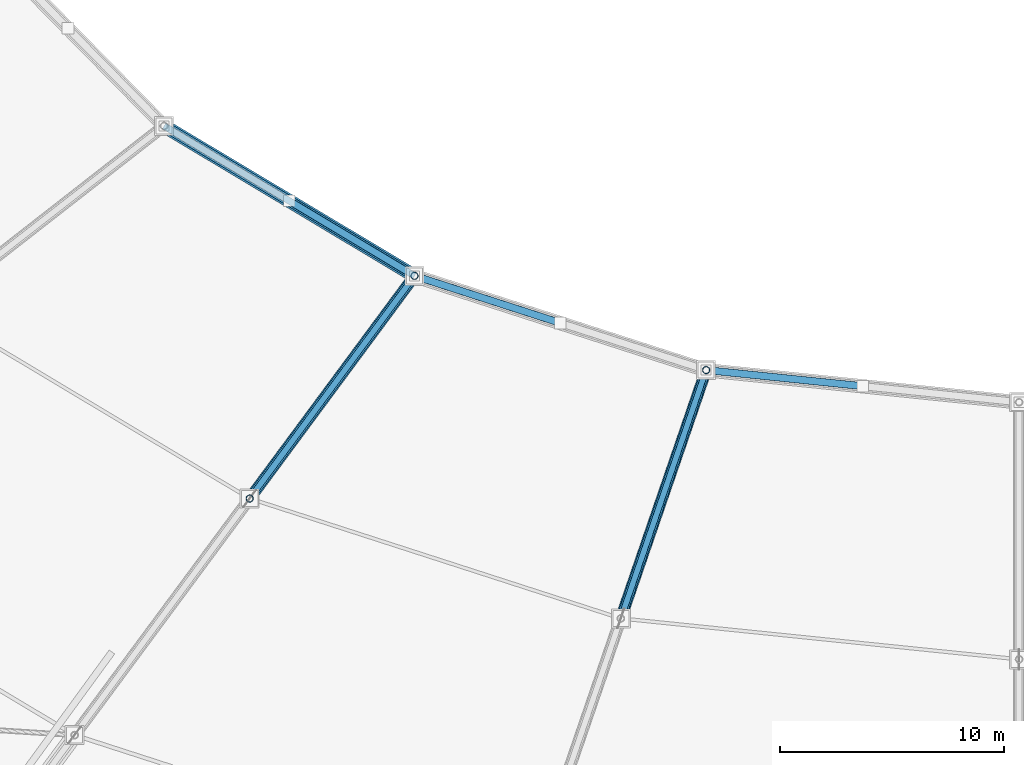
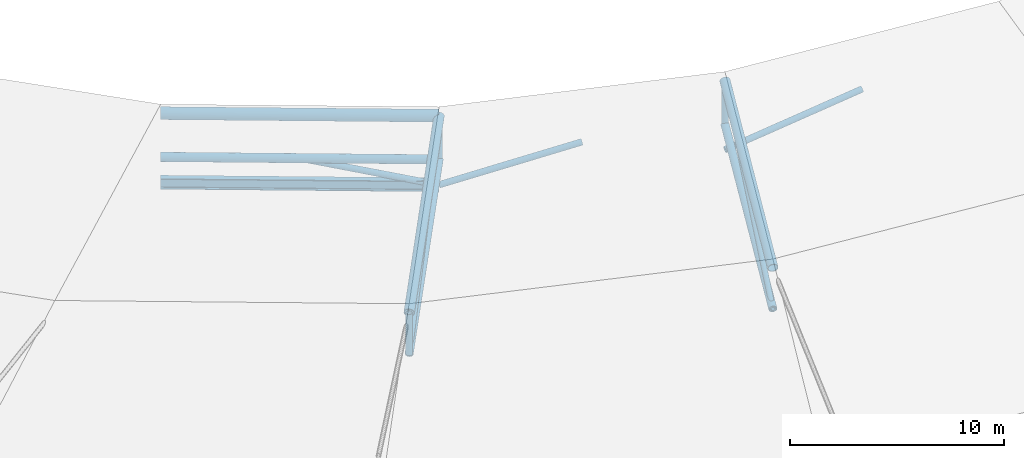
# One storey, part 19 of 115: 14 members, 1 beam.
"""IFC4 building model written with IfcOpenShell, lengths in metres."""

from ifc_helpers import new_model, si_unit, direction, frame, origin, origin_2d, place, context, subcontext, project, spatial, hollow_circle, i_section, extrude, material, material_profile, profile_set, type_object, element, save


model = new_model("IFC4")

# Units and contexts
model_context = context("Model", 3, precision=1e-05, world=origin(), true_north=direction((0.0, 1.0)))
body_context = subcontext(model_context, "Body", "Model", "MODEL_VIEW")
ifc_project = project(units=[si_unit("LENGTHUNIT", "METRE"), si_unit("AREAUNIT", "SQUARE_METRE"), si_unit("VOLUMEUNIT", "CUBIC_METRE"), si_unit("PLANEANGLEUNIT", "RADIAN"), si_unit("MASSUNIT", "GRAM", prefix="KILO")], contexts=[model_context])

# Site, building, storey
site_placement = place(None, origin())
site = spatial("IfcSite", under=ifc_project, at=site_placement, CompositionType="ELEMENT")
building_placement = place(site_placement, origin())
building = spatial("IfcBuilding", under=site, at=building_placement, Name="Zlatoyarsky Gate Stadium", CompositionType="ELEMENT")
storey_placement = place(building_placement, frame((0.0, 0.0, 31.800048828125)))
storey = spatial("IfcBuildingStorey", under=building, at=storey_placement, Name="RF", CompositionType="ELEMENT", Elevation=31.800048828125)

# Members
ifc_material = material(Name="Steel S355", Category="steel")
ifc_material_profile_1 = material_profile(ifc_material, hollow_circle(Radius=0.228515625, WallThickness=0.02490234375, at=origin_2d()), Name="CHS 457X25")
ifc_profile_set_1 = profile_set([ifc_material_profile_1], Name="Steel S355")
member_type_1 = type_object("IfcMemberType", Name="STEEL ARCH BOTTOM CHORD CHS 457X25", PredefinedType="CHORD", material=ifc_profile_set_1)
member_1_placement = place(storey_placement, frame((72.8056640625, 50.2060546875, 6.449951171875), z_axis=(0.85803439637, -0.513592226037, 0.0), x_axis=(0.513592226037, 0.85803439637, 0.0)))
element("IfcMember", 1, at=member_1_placement, inside=storey, type_object=member_type_1, Name="Inner tension ring bottom chord 15", PredefinedType="CHORD", context=body_context, shape_type="SweptSolid", body=[
    extrude(hollow_circle(Radius=0.228515625, WallThickness=0.02490234375, at=origin_2d()), origin(), (0.0, 0.0, 1.0), 13.03759765625),
])
ifc_material_profile_2 = material_profile(ifc_material, hollow_circle(Radius=0.203125, WallThickness=0.02001953125, at=origin_2d()), Name="CHS 406.4X20")
ifc_profile_set_2 = profile_set([ifc_material_profile_2], Name="Steel S355")
member_type_2 = type_object("IfcMemberType", Name="STEEL ARCH INNER CHORD CHS 406.4X20", PredefinedType="CHORD", material=ifc_profile_set_2)
member_2_placement = place(storey_placement, frame((76.630615234375, 33.563232421875, 3.949951171875), z_axis=(0.583124971914, 0.787878145709, 0.198023469934), x_axis=(-0.803795483577, 0.594905724112, 0.0)))
element("IfcMember", 2, at=member_2_placement, inside=storey, type_object=member_type_2, Name="Radial truss R17 bottom chord 3", PredefinedType="CHORD", context=body_context, shape_type="SweptSolid", body=[
    extrude(hollow_circle(Radius=0.203125, WallThickness=0.02001953125, at=origin_2d()), origin(), (0.0, 0.0, 1.0), 12.624755859375),
])
member_3_placement = place(storey_placement, frame((93.208984375, 28.20654296875, 3.949951171875), z_axis=(0.317745051652, 0.924982103597, 0.208437497048), x_axis=(-0.945754959233, 0.32488083521, 0.0)))
element("IfcMember", 3, at=member_3_placement, inside=storey, type_object=member_type_2, Name="Radial truss R18 bottom chord 3", PredefinedType="CHORD", context=body_context, shape_type="SweptSolid", body=[
    extrude(hollow_circle(Radius=0.203125, WallThickness=0.02001953125, at=origin_2d()), origin(), (0.0, 0.0, 1.0), 11.993896484375),
])
ifc_material_profile_3 = material_profile(ifc_material, hollow_circle(Radius=0.25390625, WallThickness=0.02490234375, at=origin_2d()), Name="CHS 508X25")
ifc_profile_set_3 = profile_set([ifc_material_profile_3], Name="Steel S355")
member_type_3 = type_object("IfcMemberType", Name="STEEL ARCH TOP CHORD CHS 508X25", PredefinedType="CHORD", material=ifc_profile_set_3)
member_4_placement = place(storey_placement, frame((76.630615234375, 33.563232421875, 6.300048828125), z_axis=(0.581717893715, 0.785976998931, 0.209390661882), x_axis=(-0.803795483577, 0.594905724112, 0.0)))
element("IfcMember", 4, at=member_4_placement, inside=storey, type_object=member_type_3, Name="Radial truss R17 top chord 3", PredefinedType="CHORD", context=body_context, shape_type="SweptSolid", body=[
    extrude(hollow_circle(Radius=0.25390625, WallThickness=0.02490234375, at=origin_2d()), origin(), (0.0, 0.0, 1.0), 12.6552734375),
])
member_5_placement = place(storey_placement, frame((93.208984375, 28.20654296875, 6.300048828125), z_axis=(0.316895901971, 0.922510158704, 0.220345171044), x_axis=(-0.945754959233, 0.32488083521, 0.0)))
element("IfcMember", 5, at=member_5_placement, inside=storey, type_object=member_type_3, Name="Radial truss R18 top chord 3", PredefinedType="CHORD", context=body_context, shape_type="SweptSolid", body=[
    extrude(hollow_circle(Radius=0.25390625, WallThickness=0.02490234375, at=origin_2d()), origin(), (0.0, 0.0, 1.0), 12.026123046875),
])

# Beam
ifc_material_profile_4 = material_profile(ifc_material, i_section(OverallWidth=0.300048828125, OverallDepth=0.60009765625, WebThickness=0.015380859375, FlangeThickness=0.030029296875, FilletRadius=0.027099609375, at=origin_2d()), Name="HEB 600")
ifc_profile_set_4 = profile_set([ifc_material_profile_4], Name="Steel S355")
beam_type = type_object("IfcBeamType", Name="STEEL INNER CATWALK RING BEAM HEB 600", PredefinedType="USERDEFINED", material=ifc_profile_set_4)
beam_placement = place(storey_placement, frame((72.8056640625, 50.2060546875, 5.0), z_axis=(0.85803439637, -0.513592226037, 0.0), x_axis=(0.513592226037, 0.85803439637, 0.0)))
element("IfcBeam", 6, at=beam_placement, inside=storey, type_object=beam_type, Name="Inner lighting catwalk ring beam 15", ObjectType="RING BEAM", PredefinedType="USERDEFINED", context=body_context, shape_type="SweptSolid", body=[
    extrude(i_section(OverallWidth=0.300048828125, OverallDepth=0.60009765625, WebThickness=0.015380859375, FlangeThickness=0.030029296875, FilletRadius=0.027099609375, at=origin_2d()), origin(), (0.0, 0.0, 1.0), 13.03759765625),
])

# Members
ifc_material_profile_5 = material_profile(ifc_material, hollow_circle(Radius=0.136474609375, WallThickness=0.01611328125, at=origin_2d()), Name="CHS 273X16")
ifc_profile_set_5 = profile_set([ifc_material_profile_5], Name="Steel S355")
member_type_4 = type_object("IfcMemberType", Name="STEEL ROOF TRUSS DIAGONAL CHS 273X16", PredefinedType="BRACE", material=ifc_profile_set_5)
member_6_placement = place(storey_placement, frame((76.630615234375, 33.563232421875, 3.949951171875), z_axis=(0.551582773686, 0.745260508241, 0.374624103107), x_axis=(-0.803795483577, 0.594905724112, 0.0)))
element("IfcMember", 7, at=member_6_placement, inside=storey, type_object=member_type_4, Name="Radial truss R17 web diagonal 3", PredefinedType="BRACE", context=body_context, shape_type="SweptSolid", body=[
    extrude(hollow_circle(Radius=0.136474609375, WallThickness=0.01611328125, at=origin_2d()), origin(), (0.0, 0.0, 1.0), 13.3466796875),
])
member_7_placement = place(storey_placement, frame((93.208984375, 28.20654296875, 3.949951171875), z_axis=(0.298864631367, 0.870019639883, 0.392104269724), x_axis=(-0.945754959233, 0.32488083521, 0.0)))
element("IfcMember", 8, at=member_7_placement, inside=storey, type_object=member_type_4, Name="Radial truss R18 web diagonal 3", PredefinedType="BRACE", context=body_context, shape_type="SweptSolid", body=[
    extrude(hollow_circle(Radius=0.136474609375, WallThickness=0.01611328125, at=origin_2d()), origin(), (0.0, 0.0, 1.0), 12.751708984375),
])
ifc_material_profile_6 = material_profile(ifc_material, hollow_circle(Radius=0.304931640625, WallThickness=0.030029296875, at=origin_2d()), Name="CHS 610X30")
ifc_profile_set_6 = profile_set([ifc_material_profile_6], Name="Steel S355")
member_type_5 = type_object("IfcMemberType", Name="STEEL TENSION RING CHORD CHS 610X30", PredefinedType="CHORD", material=ifc_profile_set_6)
member_8_placement = place(storey_placement, frame((72.8056640625, 50.2060546875, 8.949951171875), z_axis=(0.85803439637, -0.513592226037, 0.0), x_axis=(0.513592226037, 0.85803439637, 0.0)))
element("IfcMember", 9, at=member_8_placement, inside=storey, type_object=member_type_5, Name="Inner tension ring top chord 15", PredefinedType="CHORD", context=body_context, shape_type="SweptSolid", body=[
    extrude(hollow_circle(Radius=0.304931640625, WallThickness=0.030029296875, at=origin_2d()), origin(), (0.0, 0.0, 1.0), 13.03759765625),
])
ifc_material_profile_7 = material_profile(ifc_material, hollow_circle(Radius=0.161865234375, WallThickness=0.01611328125, at=origin_2d()), Name="CHS 323.9X16")
ifc_profile_set_7 = profile_set([ifc_material_profile_7], Name="Steel S355")
member_type_6 = type_object("IfcMemberType", Name="STEEL TRUSS WEB STRUT CHS 323.9X16", PredefinedType="STRUT", material=ifc_profile_set_7)
member_9_placement = place(storey_placement, frame((83.992431640625, 43.510009765625, 5.0), z_axis=(-0.837552974417, 0.501361915808, 0.217120345485), x_axis=(-0.513614264444, -0.858021204493, 0.0)))
element("IfcMember", 10, at=member_9_placement, inside=storey, type_object=member_type_6, Name="Catwalk V-hanger strut 15B", PredefinedType="STRUT", context=body_context, shape_type="SweptSolid", body=[
    extrude(hollow_circle(Radius=0.161865234375, WallThickness=0.01611328125, at=origin_2d()), origin(), (0.0, 0.0, 1.0), 6.677978515625),
])
member_10_placement = place(storey_placement, frame((76.630615234375, 33.563232421875, 3.949951171875), z_axis=(0.0, 0.0, 1.0), x_axis=(1.0, 0.0, 0.0)))
element("IfcMember", 11, at=member_10_placement, inside=storey, type_object=member_type_6, Name="Radial truss R17 web strut 2", PredefinedType="STRUT", context=body_context, shape_type="SweptSolid", body=[
    extrude(hollow_circle(Radius=0.161865234375, WallThickness=0.01611328125, at=origin_2d()), origin(), (0.0, 0.0, 1.0), 2.35009765625),
])
member_11_placement = place(storey_placement, frame((83.992431640625, 43.510009765625, 6.449951171875), z_axis=(0.0, 0.0, 1.0), x_axis=(1.0, 0.0, 0.0)))
element("IfcMember", 12, at=member_11_placement, inside=storey, type_object=member_type_6, Name="Radial truss R17 web strut 3", PredefinedType="STRUT", context=body_context, shape_type="SweptSolid", body=[
    extrude(hollow_circle(Radius=0.161865234375, WallThickness=0.01611328125, at=origin_2d()), origin(), (0.0, 0.0, 1.0), 2.5),
])
member_12_placement = place(storey_placement, frame((83.992431640625, 43.510009765625, 5.0), z_axis=(0.930912510858, -0.300767085592, 0.207222241454), x_axis=(0.307440419999, 0.951567332432, 0.0)))
element("IfcMember", 13, at=member_12_placement, inside=storey, type_object=member_type_6, Name="Catwalk V-hanger strut 16A", PredefinedType="STRUT", context=body_context, shape_type="SweptSolid", body=[
    extrude(hollow_circle(Radius=0.161865234375, WallThickness=0.01611328125, at=origin_2d()), origin(), (0.0, 0.0, 1.0), 6.9970703125),
])
member_13_placement = place(storey_placement, frame((97.02001953125, 39.30078125, 6.449951171875), z_axis=(0.0, 0.0, 1.0), x_axis=(1.0, 0.0, 0.0)))
element("IfcMember", 14, at=member_13_placement, inside=storey, type_object=member_type_6, Name="Radial truss R18 web strut 3", PredefinedType="STRUT", context=body_context, shape_type="SweptSolid", body=[
    extrude(hollow_circle(Radius=0.161865234375, WallThickness=0.01611328125, at=origin_2d()), origin(), (0.0, 0.0, 1.0), 2.5),
])
member_14_placement = place(storey_placement, frame((97.02001953125, 39.30078125, 5.0), z_axis=(0.974244041973, -0.100041126171, 0.202089880384), x_axis=(0.102148763722, 0.994769134056, 0.0)))
element("IfcMember", 15, at=member_14_placement, inside=storey, type_object=member_type_6, Name="Catwalk V-hanger strut 17A", PredefinedType="STRUT", context=body_context, shape_type="SweptSolid", body=[
    extrude(hollow_circle(Radius=0.161865234375, WallThickness=0.01611328125, at=origin_2d()), origin(), (0.0, 0.0, 1.0), 7.1748046875),
])

save(model, "model.ifc")
